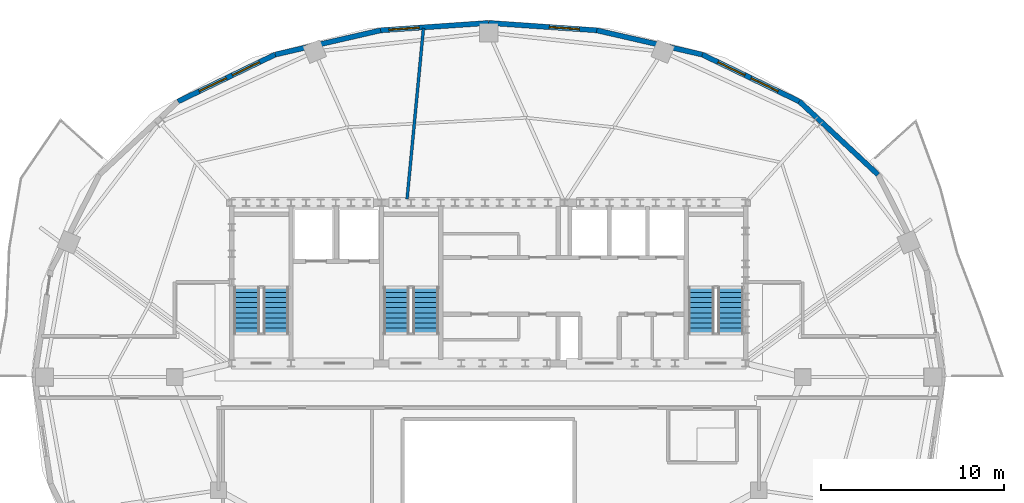
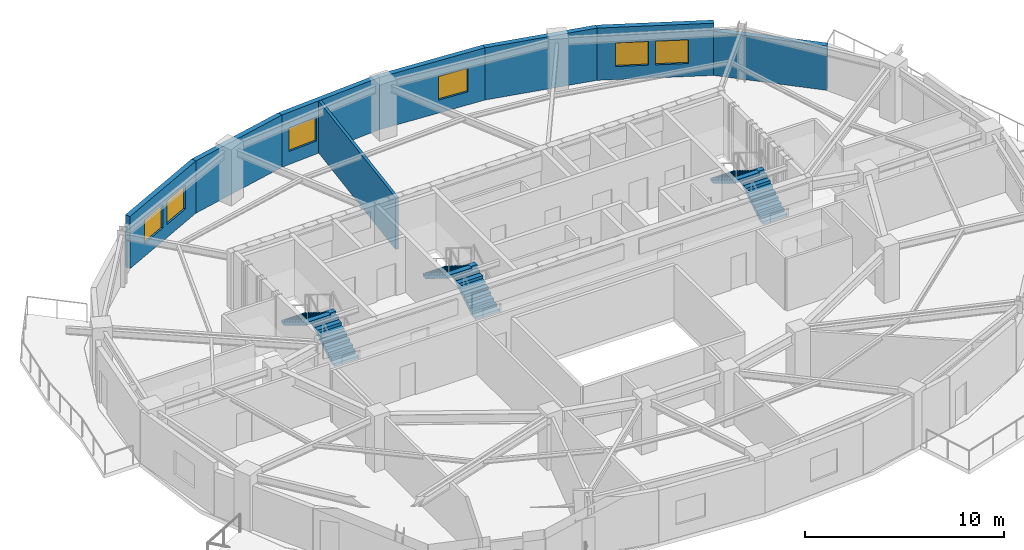
# One storey, part 6 of 10: 8 walls, 6 stair flights, 6 windows, 6 openings, 3 elements without a shape of their own.
"""IFC4 building model written with IfcOpenShell, lengths in metres."""

from ifc_helpers import new_model, si_unit, direction, frame, frame_2d, origin, place, context, subcontext, project, spatial, polyline, rectangle, outline, extrude, material, layer, layer_set, type_object, element, fill, aggregate, save


model = new_model("IFC4")

# Units and contexts
model_context = context("Model", 3, precision=1e-05, world=origin(), true_north=direction((0.0, 1.0)))
body_context = subcontext(model_context, "Body", "Model", "MODEL_VIEW")
ifc_project = project(units=[si_unit("LENGTHUNIT", "METRE"), si_unit("AREAUNIT", "SQUARE_METRE"), si_unit("VOLUMEUNIT", "CUBIC_METRE"), si_unit("PLANEANGLEUNIT", "RADIAN"), si_unit("MASSUNIT", "GRAM", prefix="KILO")], contexts=[model_context])

# Site, building, storey
site_placement = place(None, origin())
site = spatial("IfcSite", under=ifc_project, at=site_placement, CompositionType="ELEMENT")
building_placement = place(site_placement, origin())
building = spatial("IfcBuilding", under=site, at=building_placement, Name="Haldorwick Loom Tower", CompositionType="ELEMENT")
storey_placement = place(building_placement, frame((0.0, 0.0, 266.10009765625)))
storey = spatial("IfcBuildingStorey", under=building, at=storey_placement, Name="L72", CompositionType="ELEMENT", Elevation=266.10009765625)

# Wall
ifc_material_1 = material(Name="Pressed Clay Face Brick and Insulated Masonry Backup Assembly", Category="masonry")
ifc_layer_1 = layer(ifc_material_1, 0.280029296875, Name="Pressed Clay Face Brick and Insulated Masonry Backup Assembly", Category="masonry")
ifc_layer_set_1 = layer_set([ifc_layer_1], Name="Pressed Clay Face Brick and Insulated Masonry Backup Assembly")
wall_type_1 = type_object("IfcWallType", Name="ARC-WL-EXT280", PredefinedType="STANDARD", material=ifc_layer_set_1)
wall_1_placement = place(storey_placement, frame((57.322509765625, 37.08984375, 0.0), z_axis=(0.0, 0.0, 1.0), x_axis=(-0.731924682982, 0.68138554317, 0.0)))
element("IfcWall", 1, at=wall_1_placement, inside=storey, type_object=wall_type_1, Name="L72 Brick Pier and Spandrel Wall 3", PredefinedType="STANDARD", context=body_context, shape_type="SweptSolid", body=[
    extrude(rectangle(XDim=5.87890625, YDim=0.280029296875, at=frame_2d((2.939453125, 0.0))), origin(), (0.0, 0.0, 1.0), 2.718994140625),
])

# Wall, openings, windows
wall_2_placement = place(storey_placement, frame((53.01953125, 41.095703125, 0.0), z_axis=(0.0, 0.0, 1.0), x_axis=(-0.900481907967, 0.434893473651, 0.0)))
wall_2 = element("IfcWall", 2, at=wall_2_placement, inside=storey, type_object=wall_type_1, Name="L72 Brick Pier and Spandrel Wall 4", PredefinedType="STANDARD", context=body_context, shape_type="SweptSolid", body=[
    extrude(rectangle(XDim=5.90966796875, YDim=0.280029296875, at=frame_2d((2.954833984375, 0.0))), origin(), (0.0, 0.0, 1.0), 3.2099609375),
])
opening_1_placement = place(wall_2_placement, frame((1.29443359375, 0.0, 0.800048828125)))
opening_1 = element("IfcOpeningElement", 3, at=opening_1_placement, cuts=wall_2, Name="Opening W-01B", PredefinedType="OPENING", context=body_context, shape_type="SweptSolid", body=[
    extrude(rectangle(XDim=1.64990234375, YDim=1.449951171875, at=frame_2d((0.824951171875, 0.72509765625))), frame((0.0, 0.14990234375, 0.0), z_axis=(0.0, -1.0, 0.0), x_axis=(1.0, 0.0, 0.0)), (0.0, 0.0, 1.0), 0.300048828125),
])
opening_2_placement = place(wall_2_placement, frame((3.311767578125, 0.0, 0.800048828125)))
opening_2 = element("IfcOpeningElement", 4, at=opening_2_placement, cuts=wall_2, Name="Opening W-01B", PredefinedType="OPENING", context=body_context, shape_type="SweptSolid", body=[
    extrude(rectangle(XDim=1.64990234375, YDim=1.449951171875, at=frame_2d((0.824951171875, 0.72509765625))), frame((0.0, 0.14990234375, 0.0), z_axis=(0.0, -1.0, 0.0), x_axis=(1.0, 0.0, 0.0)), (0.0, 0.0, 1.0), 0.300048828125),
])
ifc_material_2 = material(Name="Triple-Glazed Low-E Argon Insulated Glazing Unit", Category="glass")
window_type = type_object("IfcWindowType", Name="ARC-WIN-W165", PartitioningType="SINGLE_PANEL", PredefinedType="WINDOW", material=ifc_material_2)
window_1_placement = place(opening_1_placement, origin())
window_1 = element("IfcWindow", 5, at=window_1_placement, inside=storey, type_object=window_type, Name="L72 Deep-Set Zone 7A Window 4", OverallHeight=1.449951171875, OverallWidth=1.64990234375, PartitioningType="SINGLE_PANEL", PredefinedType="WINDOW", context=body_context, shape_type="SweptSolid", body=[
    extrude(rectangle(XDim=1.64990234375, YDim=1.449951171875, at=frame_2d((0.824951171875, 0.72509765625))), frame((0.0, 0.030029296875, 0.0), z_axis=(0.0, -1.0, 0.0), x_axis=(1.0, 0.0, 0.0)), (0.0, 0.0, 1.0), 0.06005859375),
])
fill(opening_1, window_1)
window_2_placement = place(opening_2_placement, origin())
window_2 = element("IfcWindow", 6, at=window_2_placement, inside=storey, type_object=window_type, Name="L72 Deep-Set Zone 7A Window 4", OverallHeight=1.449951171875, OverallWidth=1.64990234375, PartitioningType="SINGLE_PANEL", PredefinedType="WINDOW", context=body_context, shape_type="SweptSolid", body=[
    extrude(rectangle(XDim=1.64990234375, YDim=1.449951171875, at=frame_2d((0.824951171875, 0.72509765625))), frame((0.0, 0.030029296875, 0.0), z_axis=(0.0, -1.0, 0.0), x_axis=(1.0, 0.0, 0.0)), (0.0, 0.0, 1.0), 0.06005859375),
])
fill(opening_2, window_2)

# Wall
wall_3_placement = place(storey_placement, frame((47.697998046875, 43.665771484375, 0.0), z_axis=(0.0, 0.0, 1.0), x_axis=(-0.974589984037, 0.223996345987, 0.0)))
element("IfcWall", 7, at=wall_3_placement, inside=storey, type_object=wall_type_1, Name="L72 Brick Pier and Spandrel Wall 5", PredefinedType="STANDARD", context=body_context, shape_type="SweptSolid", body=[
    extrude(rectangle(XDim=5.92919921875, YDim=0.280029296875, at=frame_2d((2.964599609375, 0.0))), origin(), (0.0, 0.0, 1.0), 3.2099609375),
])

# Wall, opening, window
wall_4_placement = place(storey_placement, frame((41.91943359375, 44.993896484375, 0.0), z_axis=(0.0, 0.0, 1.0), x_axis=(-0.997656066566, 0.068427865986, 0.0)))
wall_4 = element("IfcWall", 8, at=wall_4_placement, inside=storey, type_object=wall_type_1, Name="L72 Brick Pier and Spandrel Wall 6", PredefinedType="STANDARD", context=body_context, shape_type="SweptSolid", body=[
    extrude(rectangle(XDim=5.933349609375, YDim=0.280029296875, at=frame_2d((2.966796875, 0.0))), origin(), (0.0, 0.0, 1.0), 3.2099609375),
])
opening_3_placement = place(wall_4_placement, frame((0.955078125, 0.0, 0.800048828125)))
opening_3 = element("IfcOpeningElement", 9, at=opening_3_placement, cuts=wall_4, Name="Opening W-01B", PredefinedType="OPENING", context=body_context, shape_type="SweptSolid", body=[
    extrude(rectangle(XDim=1.64990234375, YDim=1.449951171875, at=frame_2d((0.824951171875, 0.72509765625))), frame((0.0, 0.14990234375, 0.0), z_axis=(0.0, -1.0, 0.0), x_axis=(1.0, 0.0, 0.0)), (0.0, 0.0, 1.0), 0.300048828125),
])
window_3_placement = place(opening_3_placement, origin())
window_3 = element("IfcWindow", 10, at=window_3_placement, inside=storey, type_object=window_type, Name="L72 Deep-Set Zone 7A Window 6", OverallHeight=1.449951171875, OverallWidth=1.64990234375, PartitioningType="SINGLE_PANEL", PredefinedType="WINDOW", context=body_context, shape_type="SweptSolid", body=[
    extrude(rectangle(XDim=1.64990234375, YDim=1.449951171875, at=frame_2d((0.824951171875, 0.72509765625))), frame((0.0, 0.030029296875, 0.0), z_axis=(0.0, -1.0, 0.0), x_axis=(1.0, 0.0, 0.0)), (0.0, 0.0, 1.0), 0.06005859375),
])
fill(opening_3, window_3)

wall_5_placement = place(storey_placement, frame((36.0, 45.39990234375, 0.0), z_axis=(0.0, 0.0, 1.0), x_axis=(-0.997656066566, -0.068427865986, 0.0)))
wall_5 = element("IfcWall", 11, at=wall_5_placement, inside=storey, type_object=wall_type_1, Name="L72 Brick Pier and Spandrel Wall 7", PredefinedType="STANDARD", context=body_context, shape_type="SweptSolid", body=[
    extrude(rectangle(XDim=5.933349609375, YDim=0.280029296875, at=frame_2d((2.966796875, 0.0))), origin(), (0.0, 0.0, 1.0), 3.2099609375),
])
opening_4_placement = place(wall_5_placement, frame((3.8232421875, 0.0, 0.800048828125)))
opening_4 = element("IfcOpeningElement", 12, at=opening_4_placement, cuts=wall_5, Name="Opening W-01B", PredefinedType="OPENING", context=body_context, shape_type="SweptSolid", body=[
    extrude(rectangle(XDim=1.64990234375, YDim=1.449951171875, at=frame_2d((0.824951171875, 0.72509765625))), frame((0.0, 0.14990234375, 0.0), z_axis=(0.0, -1.0, 0.0), x_axis=(1.0, 0.0, 0.0)), (0.0, 0.0, 1.0), 0.300048828125),
])
window_4_placement = place(opening_4_placement, origin())
window_4 = element("IfcWindow", 13, at=window_4_placement, inside=storey, type_object=window_type, Name="L72 Deep-Set Zone 7A Window 7", OverallHeight=1.449951171875, OverallWidth=1.64990234375, PartitioningType="SINGLE_PANEL", PredefinedType="WINDOW", context=body_context, shape_type="SweptSolid", body=[
    extrude(rectangle(XDim=1.64990234375, YDim=1.449951171875, at=frame_2d((0.824951171875, 0.72509765625))), frame((0.0, 0.030029296875, 0.0), z_axis=(0.0, -1.0, 0.0), x_axis=(1.0, 0.0, 0.0)), (0.0, 0.0, 1.0), 0.06005859375),
])
fill(opening_4, window_4)

# Wall
wall_6_placement = place(storey_placement, frame((30.08056640625, 44.993896484375, 0.0), z_axis=(0.0, 0.0, 1.0), x_axis=(-0.974589984037, -0.223996345987, 0.0)))
element("IfcWall", 14, at=wall_6_placement, inside=storey, type_object=wall_type_1, Name="L72 Brick Pier and Spandrel Wall 8", PredefinedType="STANDARD", context=body_context, shape_type="SweptSolid", body=[
    extrude(rectangle(XDim=5.92919921875, YDim=0.280029296875, at=frame_2d((2.964599609375, 0.0))), origin(), (0.0, 0.0, 1.0), 3.2099609375),
])

# Wall, openings, windows
wall_7_placement = place(storey_placement, frame((24.302001953125, 43.665771484375, 0.0), z_axis=(0.0, 0.0, 1.0), x_axis=(-0.900481907967, -0.434893473651, 0.0)))
wall_7 = element("IfcWall", 15, at=wall_7_placement, inside=storey, type_object=wall_type_1, Name="L72 Brick Pier and Spandrel Wall 9", PredefinedType="STANDARD", context=body_context, shape_type="SweptSolid", body=[
    extrude(rectangle(XDim=5.90966796875, YDim=0.280029296875, at=frame_2d((2.954833984375, 0.0))), origin(), (0.0, 0.0, 1.0), 3.2099609375),
])
opening_5_placement = place(wall_7_placement, frame((0.947998046875, 0.0, 0.800048828125)))
opening_5 = element("IfcOpeningElement", 16, at=opening_5_placement, cuts=wall_7, Name="Opening W-01B", PredefinedType="OPENING", context=body_context, shape_type="SweptSolid", body=[
    extrude(rectangle(XDim=1.64990234375, YDim=1.449951171875, at=frame_2d((0.824951171875, 0.72509765625))), frame((0.0, 0.14990234375, 0.0), z_axis=(0.0, -1.0, 0.0), x_axis=(1.0, 0.0, 0.0)), (0.0, 0.0, 1.0), 0.300048828125),
])
opening_6_placement = place(wall_7_placement, frame((2.965087890625, 0.0, 0.800048828125)))
opening_6 = element("IfcOpeningElement", 17, at=opening_6_placement, cuts=wall_7, Name="Opening W-01B", PredefinedType="OPENING", context=body_context, shape_type="SweptSolid", body=[
    extrude(rectangle(XDim=1.64990234375, YDim=1.449951171875, at=frame_2d((0.824951171875, 0.72509765625))), frame((0.0, 0.14990234375, 0.0), z_axis=(0.0, -1.0, 0.0), x_axis=(1.0, 0.0, 0.0)), (0.0, 0.0, 1.0), 0.300048828125),
])
window_5_placement = place(opening_5_placement, origin())
window_5 = element("IfcWindow", 18, at=window_5_placement, inside=storey, type_object=window_type, Name="L72 Deep-Set Zone 7A Window 9", OverallHeight=1.449951171875, OverallWidth=1.64990234375, PartitioningType="SINGLE_PANEL", PredefinedType="WINDOW", context=body_context, shape_type="SweptSolid", body=[
    extrude(rectangle(XDim=1.64990234375, YDim=1.449951171875, at=frame_2d((0.824951171875, 0.72509765625))), frame((0.0, 0.030029296875, 0.0), z_axis=(0.0, -1.0, 0.0), x_axis=(1.0, 0.0, 0.0)), (0.0, 0.0, 1.0), 0.06005859375),
])
fill(opening_5, window_5)
window_6_placement = place(opening_6_placement, origin())
window_6 = element("IfcWindow", 19, at=window_6_placement, inside=storey, type_object=window_type, Name="L72 Deep-Set Zone 7A Window 9", OverallHeight=1.449951171875, OverallWidth=1.64990234375, PartitioningType="SINGLE_PANEL", PredefinedType="WINDOW", context=body_context, shape_type="SweptSolid", body=[
    extrude(rectangle(XDim=1.64990234375, YDim=1.449951171875, at=frame_2d((0.824951171875, 0.72509765625))), frame((0.0, 0.030029296875, 0.0), z_axis=(0.0, -1.0, 0.0), x_axis=(1.0, 0.0, 0.0)), (0.0, 0.0, 1.0), 0.06005859375),
])
fill(opening_6, window_6)

# Wall
ifc_material_3 = material(Name="Fire-Rated Type X Gypsum Stud Assembly EI 60")
ifc_layer_2 = layer(ifc_material_3, 0.159912109375, Name="Fire-Rated Type X Gypsum Stud Assembly EI 60")
ifc_layer_set_2 = layer_set([ifc_layer_2], Name="Fire-Rated Type X Gypsum Stud Assembly EI 60")
wall_type_2 = type_object("IfcWallType", Name="ARC-WL-FIRE160", PredefinedType="PARTITIONING", material=ifc_layer_set_2)
wall_8_placement = place(storey_placement, frame((31.529052734375, 35.7529296875, 0.0), z_axis=(0.0, 0.0, 1.0), x_axis=(0.095478310058, 0.995431510607, 0.0)))
element("IfcWall", 20, at=wall_8_placement, inside=storey, type_object=wall_type_2, Name="L72 Residential Fire Partition L72-UPN-C3", PredefinedType="PARTITIONING", context=body_context, shape_type="SweptSolid", body=[
    extrude(rectangle(XDim=9.399658203125, YDim=0.159912109375, at=frame_2d((4.69970703125, 0.0))), origin(), (0.0, 0.0, 1.0), 3.19482421875),
])

# Stair, stair flights
ifc_material_4 = material(Name="Concrete C40 (40 MPa)", Category="concrete")
stair_type = type_object("IfcStairType", Name="STR-STR-CORE", PredefinedType="HALF_TURN_STAIR", material=ifc_material_4)
stair_1_placement = place(storey_placement, origin())
stair_1 = element("IfcStair", 21, at=stair_1_placement, inside=storey, type_object=stair_type, Name="L72 Exit Stair ST-01", PredefinedType="HALF_TURN_STAIR")
stair_flight_type = type_object("IfcStairFlightType", Name="STR-STF-1250", PredefinedType="STRAIGHT", material=ifc_material_4)
stair_flight_1_placement = place(storey_placement, frame((24.35009765625, 28.39990234375, 0.0), z_axis=(0.0, 0.0, 1.0), x_axis=(0.0, 1.0, 0.0)))
stair_flight_1 = element("IfcStairFlight", 22, at=stair_flight_1_placement, type_object=stair_flight_type, Name="ST-01 flight 1", NumberOfRisers=10, NumberOfTreads=9, PredefinedType="STRAIGHT", RiserHeight=0.1725, TreadLength=0.28, context=body_context, shape_type="SweptSolid", body=[
    extrude(outline(polyline([(0.0, 0.0), (0.0, 0.172607421875), (0.280029296875, 0.172607421875), (0.280029296875, 0.344970703125), (0.56005859375, 0.344970703125), (0.56005859375, 0.517578125), (0.840087890625, 0.517578125), (0.840087890625, 0.68994140625), (1.1201171875, 0.68994140625), (1.1201171875, 0.862548828125), (1.39990234375, 0.862548828125), (1.39990234375, 1.034912109375), (1.679931640625, 1.034912109375), (1.679931640625, 1.20751953125), (1.9599609375, 1.20751953125), (1.9599609375, 1.3798828125), (2.239990234375, 1.3798828125), (2.239990234375, 1.552490234375), (2.52001953125, 1.552490234375), (2.52001953125, 1.72509765625), (2.52001953125, 1.37646484375), (0.285888671875, 0.0), (0.0, 0.0)])), frame((0.0, 0.699951171875, 0.0), z_axis=(0.0, -1.0, 0.0), x_axis=(1.0, 0.0, 0.0)), (0.0, 0.0, 1.0), 1.39990234375),
])
stair_flight_2_placement = place(storey_placement, frame((22.75, 30.919921875, 1.724853515625), z_axis=(0.0, 0.0, 1.0), x_axis=(0.0, -1.0, 0.0)))
stair_flight_2 = element("IfcStairFlight", 23, at=stair_flight_2_placement, type_object=stair_flight_type, Name="ST-01 flight 2", NumberOfRisers=10, NumberOfTreads=9, PredefinedType="STRAIGHT", RiserHeight=0.1725, TreadLength=0.28, context=body_context, shape_type="SweptSolid", body=[
    extrude(outline(polyline([(0.0, 0.0), (0.0, 0.172607421875), (0.280029296875, 0.172607421875), (0.280029296875, 0.344970703125), (0.56005859375, 0.344970703125), (0.56005859375, 0.517578125), (0.840087890625, 0.517578125), (0.840087890625, 0.68994140625), (1.1201171875, 0.68994140625), (1.1201171875, 0.862548828125), (1.39990234375, 0.862548828125), (1.39990234375, 1.034912109375), (1.679931640625, 1.034912109375), (1.679931640625, 1.20751953125), (1.9599609375, 1.20751953125), (1.9599609375, 1.3798828125), (2.239990234375, 1.3798828125), (2.239990234375, 1.552490234375), (2.52001953125, 1.552490234375), (2.52001953125, 1.72509765625), (2.52001953125, 1.37646484375), (0.285888671875, 0.0), (0.0, 0.0)])), frame((0.0, 0.699951171875, 0.0), z_axis=(0.0, -1.0, 0.0), x_axis=(1.0, 0.0, 0.0)), (0.0, 0.0, 1.0), 1.39990234375),
])
aggregate(stair_1, [stair_flight_1, stair_flight_2])

stair_2_placement = place(storey_placement, origin())
stair_2 = element("IfcStair", 24, at=stair_2_placement, inside=storey, type_object=stair_type, Name="L72 Exit Stair ST-02", PredefinedType="HALF_TURN_STAIR")
stair_flight_3_placement = place(storey_placement, frame((49.25, 28.39990234375, 0.0), z_axis=(0.0, 0.0, 1.0), x_axis=(0.0, 1.0, 0.0)))
stair_flight_3 = element("IfcStairFlight", 25, at=stair_flight_3_placement, type_object=stair_flight_type, Name="ST-02 flight 1", NumberOfRisers=10, NumberOfTreads=9, PredefinedType="STRAIGHT", RiserHeight=0.1725, TreadLength=0.28, context=body_context, shape_type="SweptSolid", body=[
    extrude(outline(polyline([(0.0, 0.0), (0.0, 0.172607421875), (0.280029296875, 0.172607421875), (0.280029296875, 0.344970703125), (0.56005859375, 0.344970703125), (0.56005859375, 0.517578125), (0.840087890625, 0.517578125), (0.840087890625, 0.68994140625), (1.1201171875, 0.68994140625), (1.1201171875, 0.862548828125), (1.39990234375, 0.862548828125), (1.39990234375, 1.034912109375), (1.679931640625, 1.034912109375), (1.679931640625, 1.20751953125), (1.9599609375, 1.20751953125), (1.9599609375, 1.3798828125), (2.239990234375, 1.3798828125), (2.239990234375, 1.552490234375), (2.52001953125, 1.552490234375), (2.52001953125, 1.72509765625), (2.52001953125, 1.37646484375), (0.285888671875, 0.0), (0.0, 0.0)])), frame((0.0, 0.699951171875, 0.0), z_axis=(0.0, -1.0, 0.0), x_axis=(1.0, 0.0, 0.0)), (0.0, 0.0, 1.0), 1.39990234375),
])
stair_flight_4_placement = place(storey_placement, frame((47.64990234375, 30.919921875, 1.724853515625), z_axis=(0.0, 0.0, 1.0), x_axis=(0.0, -1.0, 0.0)))
stair_flight_4 = element("IfcStairFlight", 26, at=stair_flight_4_placement, type_object=stair_flight_type, Name="ST-02 flight 2", NumberOfRisers=10, NumberOfTreads=9, PredefinedType="STRAIGHT", RiserHeight=0.1725, TreadLength=0.28, context=body_context, shape_type="SweptSolid", body=[
    extrude(outline(polyline([(0.0, 0.0), (0.0, 0.172607421875), (0.280029296875, 0.172607421875), (0.280029296875, 0.344970703125), (0.56005859375, 0.344970703125), (0.56005859375, 0.517578125), (0.840087890625, 0.517578125), (0.840087890625, 0.68994140625), (1.1201171875, 0.68994140625), (1.1201171875, 0.862548828125), (1.39990234375, 0.862548828125), (1.39990234375, 1.034912109375), (1.679931640625, 1.034912109375), (1.679931640625, 1.20751953125), (1.9599609375, 1.20751953125), (1.9599609375, 1.3798828125), (2.239990234375, 1.3798828125), (2.239990234375, 1.552490234375), (2.52001953125, 1.552490234375), (2.52001953125, 1.72509765625), (2.52001953125, 1.37646484375), (0.285888671875, 0.0), (0.0, 0.0)])), frame((0.0, 0.699951171875, 0.0), z_axis=(0.0, -1.0, 0.0), x_axis=(1.0, 0.0, 0.0)), (0.0, 0.0, 1.0), 1.39990234375),
])
aggregate(stair_2, [stair_flight_3, stair_flight_4])

stair_3_placement = place(storey_placement, origin())
stair_3 = element("IfcStair", 27, at=stair_3_placement, inside=storey, type_object=stair_type, Name="L72 Exit Stair ST-03", PredefinedType="HALF_TURN_STAIR")
stair_flight_5_placement = place(storey_placement, frame((32.550048828125, 28.39990234375, 0.0), z_axis=(0.0, 0.0, 1.0), x_axis=(0.0, 1.0, 0.0)))
stair_flight_5 = element("IfcStairFlight", 28, at=stair_flight_5_placement, type_object=stair_flight_type, Name="ST-03 flight 1", NumberOfRisers=10, NumberOfTreads=9, PredefinedType="STRAIGHT", RiserHeight=0.1725, TreadLength=0.28, context=body_context, shape_type="SweptSolid", body=[
    extrude(outline(polyline([(0.0, 0.0), (0.0, 0.172607421875), (0.280029296875, 0.172607421875), (0.280029296875, 0.344970703125), (0.56005859375, 0.344970703125), (0.56005859375, 0.517578125), (0.840087890625, 0.517578125), (0.840087890625, 0.68994140625), (1.1201171875, 0.68994140625), (1.1201171875, 0.862548828125), (1.39990234375, 0.862548828125), (1.39990234375, 1.034912109375), (1.679931640625, 1.034912109375), (1.679931640625, 1.20751953125), (1.9599609375, 1.20751953125), (1.9599609375, 1.3798828125), (2.239990234375, 1.3798828125), (2.239990234375, 1.552490234375), (2.52001953125, 1.552490234375), (2.52001953125, 1.72509765625), (2.52001953125, 1.37646484375), (0.285888671875, 0.0), (0.0, 0.0)])), frame((0.0, 0.699951171875, 0.0), z_axis=(0.0, -1.0, 0.0), x_axis=(1.0, 0.0, 0.0)), (0.0, 0.0, 1.0), 1.39990234375),
])
stair_flight_6_placement = place(storey_placement, frame((30.949951171875, 30.919921875, 1.724853515625), z_axis=(0.0, 0.0, 1.0), x_axis=(0.0, -1.0, 0.0)))
stair_flight_6 = element("IfcStairFlight", 29, at=stair_flight_6_placement, type_object=stair_flight_type, Name="ST-03 flight 2", NumberOfRisers=10, NumberOfTreads=9, PredefinedType="STRAIGHT", RiserHeight=0.1725, TreadLength=0.28, context=body_context, shape_type="SweptSolid", body=[
    extrude(outline(polyline([(0.0, 0.0), (0.0, 0.172607421875), (0.280029296875, 0.172607421875), (0.280029296875, 0.344970703125), (0.56005859375, 0.344970703125), (0.56005859375, 0.517578125), (0.840087890625, 0.517578125), (0.840087890625, 0.68994140625), (1.1201171875, 0.68994140625), (1.1201171875, 0.862548828125), (1.39990234375, 0.862548828125), (1.39990234375, 1.034912109375), (1.679931640625, 1.034912109375), (1.679931640625, 1.20751953125), (1.9599609375, 1.20751953125), (1.9599609375, 1.3798828125), (2.239990234375, 1.3798828125), (2.239990234375, 1.552490234375), (2.52001953125, 1.552490234375), (2.52001953125, 1.72509765625), (2.52001953125, 1.37646484375), (0.285888671875, 0.0), (0.0, 0.0)])), frame((0.0, 0.699951171875, 0.0), z_axis=(0.0, -1.0, 0.0), x_axis=(1.0, 0.0, 0.0)), (0.0, 0.0, 1.0), 1.39990234375),
])
aggregate(stair_3, [stair_flight_5, stair_flight_6])

save(model, "model.ifc")
